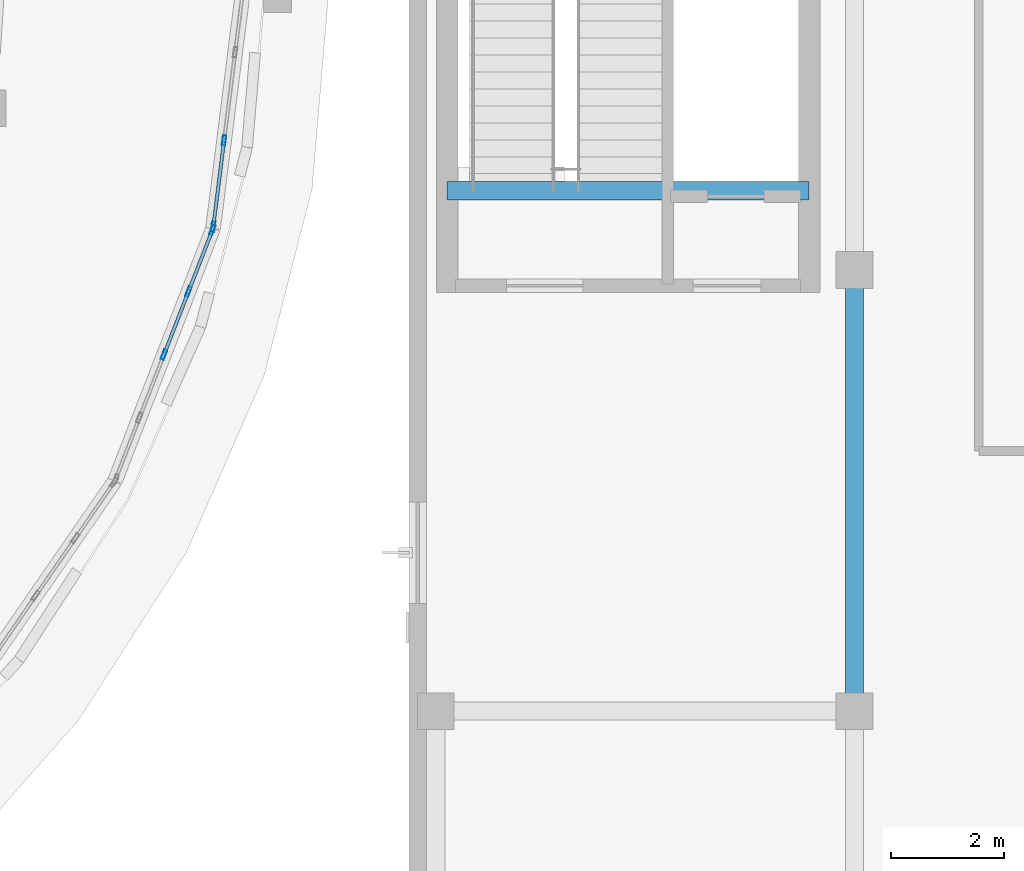
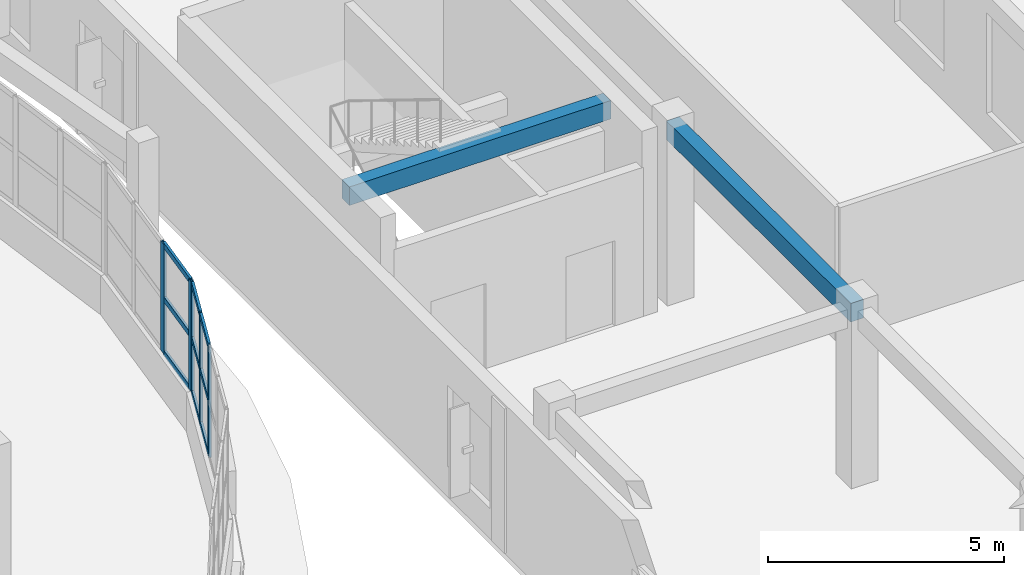
# One storey, part 64 of 105: 14 members, 2 beams, 2 elements without a shape of their own.
"""IFC4 building model written with IfcOpenShell, lengths in metres."""

from ifc_helpers import new_model, si_unit, direction, frame, origin, origin_2d, place, context, subcontext, project, spatial, rectangle, hollow_rectangle, extrude, material, layer, layer_set, material_profile, profile_set, type_object, element, aggregate, save


model = new_model("IFC4")

# Units and contexts
model_context = context("Model", 3, precision=1e-05, world=origin(), true_north=direction((0.0, 1.0)))
body_context = subcontext(model_context, "Body", "Model", "MODEL_VIEW")
ifc_project = project(units=[si_unit("LENGTHUNIT", "METRE"), si_unit("AREAUNIT", "SQUARE_METRE"), si_unit("VOLUMEUNIT", "CUBIC_METRE"), si_unit("PLANEANGLEUNIT", "RADIAN"), si_unit("MASSUNIT", "GRAM", prefix="KILO")], contexts=[model_context])

# Site, building, storey
site_placement = place(None, origin())
site = spatial("IfcSite", under=ifc_project, at=site_placement, CompositionType="ELEMENT")
building_placement = place(site_placement, origin())
building = spatial("IfcBuilding", under=site, at=building_placement, Name="Pelvatis Terrace Science Centre", CompositionType="ELEMENT")
storey_placement = place(building_placement, frame((0.0, 0.0, 10.199951171875)))
storey = spatial("IfcBuildingStorey", under=building, at=storey_placement, Name="L02", CompositionType="ELEMENT", Elevation=10.199951171875)

# Beams
ifc_material_1 = material(Name="Concrete C35/45", Category="concrete")
ifc_material_profile_1 = material_profile(ifc_material_1, rectangle(XDim=0.320068359375, YDim=0.47998046875, at=origin_2d()), Name="RC-BM 320x480")
ifc_profile_set_1 = profile_set([ifc_material_profile_1], Name="Concrete C35/45")
beam_type = type_object("IfcBeamType", Name="BM-RC-320x480", PredefinedType="BEAM", material=ifc_profile_set_1)
beam_1_placement = place(storey_placement, frame((141.0, 79.39990234375, 4.300048828125), z_axis=(1.0, 0.0, 0.0), x_axis=(0.0, 1.0, 0.0)))
element("IfcBeam", 1, at=beam_1_placement, inside=storey, type_object=beam_type, Name="Core C3 stair header beam (L02)", PredefinedType="BEAM", context=body_context, shape_type="SweptSolid", body=[
    extrude(rectangle(XDim=0.320068359375, YDim=0.47998046875, at=origin_2d()), origin(), (0.0, 0.0, 1.0), 6.39990234375),
])
beam_2_placement = place(storey_placement, frame((148.199951171875, 70.199951171875, 4.300048828125), z_axis=(0.0, 1.0, 0.0), x_axis=(-1.0, 0.0, 0.0)))
element("IfcBeam", 2, at=beam_2_placement, inside=storey, type_object=beam_type, Name="Beam BM-L02-2997", PredefinedType="BEAM", context=body_context, shape_type="SweptSolid", body=[
    extrude(rectangle(XDim=0.320068359375, YDim=0.47998046875, at=origin_2d()), origin(), (0.0, 0.0, 1.0), 7.800048828125),
])

# Curtain wall, members
ifc_material_2 = material(Name="Bronze-anodised aluminium and laminated glass", Category="aluminium")
ifc_layer = layer(ifc_material_2, 0.179931640625)
ifc_layer_set = layer_set([ifc_layer], Name="Bronze-anodised aluminium and laminated glass")
curtain_wall_type = type_object("IfcCurtainWallType", Name="CW-RIBBON-A", PredefinedType="NOTDEFINED", material=ifc_layer_set)
curtain_wall_1_placement = place(storey_placement, origin())
curtain_wall_1 = element("IfcCurtainWall", 3, at=curtain_wall_1_placement, inside=storey, type_object=curtain_wall_type, Name="Ribbon curtain wall CW-181 (L02)", PredefinedType="NOTDEFINED")
ifc_material_3 = material(Name="Bronze-anodised aluminium 6063-T6", Category="aluminium")
ifc_material_profile_2 = material_profile(ifc_material_3, hollow_rectangle(XDim=0.06005859375, YDim=0.179931640625, WallThickness=0.00390625, at=origin_2d()), Name="ALU-MUL 60x180")
ifc_profile_set_2 = profile_set([ifc_material_profile_2], Name="Bronze-anodised aluminium 6063-T6")
member_type_1 = type_object("IfcMemberType", Name="CWM-60x180", PredefinedType="MULLION", material=ifc_profile_set_2)
member_1_placement = place(storey_placement, frame((135.99609375, 76.50048828125, 1.02001953125), z_axis=(0.0, 0.0, 1.0), x_axis=(-0.932092427313, 0.362220522536, 0.0)))
member_1 = element("IfcMember", 4, at=member_1_placement, type_object=member_type_1, Name="CW-181 mullion 3", PredefinedType="MULLION", context=body_context, shape_type="SweptSolid", body=[
    extrude(hollow_rectangle(XDim=0.06005859375, YDim=0.179931640625, WallThickness=0.00390625, at=origin_2d()), origin(), (0.0, 0.0, 1.0), 2.840087890625),
])
member_2_placement = place(storey_placement, frame((136.4296875, 77.616455078125, 1.02001953125), z_axis=(0.0, 0.0, 1.0), x_axis=(-0.932092427313, 0.362220522536, 0.0)))
member_2 = element("IfcMember", 5, at=member_2_placement, type_object=member_type_1, Name="CW-181 mullion 4", PredefinedType="MULLION", context=body_context, shape_type="SweptSolid", body=[
    extrude(hollow_rectangle(XDim=0.06005859375, YDim=0.179931640625, WallThickness=0.00390625, at=origin_2d()), origin(), (0.0, 0.0, 1.0), 2.840087890625),
])
member_3_placement = place(storey_placement, frame((136.8525390625, 78.704345703125, 1.02001953125), z_axis=(0.0, 0.0, 1.0), x_axis=(-0.932092427313, 0.362220522536, 0.0)))
member_3 = element("IfcMember", 6, at=member_3_placement, type_object=member_type_1, Name="CW-181 mullion 5", PredefinedType="MULLION", context=body_context, shape_type="SweptSolid", body=[
    extrude(hollow_rectangle(XDim=0.06005859375, YDim=0.179931640625, WallThickness=0.00390625, at=origin_2d()), origin(), (0.0, 0.0, 1.0), 2.840087890625),
])

curtain_wall_2_placement = place(storey_placement, origin())
curtain_wall_2 = element("IfcCurtainWall", 7, at=curtain_wall_2_placement, inside=storey, type_object=curtain_wall_type, Name="Ribbon curtain wall CW-182 (L02)", PredefinedType="NOTDEFINED")
member_4_placement = place(storey_placement, frame((136.866943359375, 78.76220703125, 1.02001953125), z_axis=(0.0, 0.0, 1.0), x_axis=(-0.992192615485, 0.124714930048, 0.0)))
member_4 = element("IfcMember", 8, at=member_4_placement, type_object=member_type_1, Name="CW-182 mullion 1", PredefinedType="MULLION", context=body_context, shape_type="SweptSolid", body=[
    extrude(hollow_rectangle(XDim=0.06005859375, YDim=0.179931640625, WallThickness=0.00390625, at=origin_2d()), origin(), (0.0, 0.0, 1.0), 2.840087890625),
])
member_5_placement = place(storey_placement, frame((137.058837890625, 80.288330078125, 1.02001953125), z_axis=(0.0, 0.0, 1.0), x_axis=(-0.992192615485, 0.124714930048, 0.0)))
member_5 = element("IfcMember", 9, at=member_5_placement, type_object=member_type_1, Name="CW-182 mullion 2", PredefinedType="MULLION", context=body_context, shape_type="SweptSolid", body=[
    extrude(hollow_rectangle(XDim=0.06005859375, YDim=0.179931640625, WallThickness=0.00390625, at=origin_2d()), origin(), (0.0, 0.0, 1.0), 2.840087890625),
])

# Member
ifc_material_4 = material(Name="Bronze-anodised aluminium 6063-T6", Category="aluminium")
ifc_material_profile_3 = material_profile(ifc_material_4, hollow_rectangle(XDim=0.06005859375, YDim=0.139892578125, WallThickness=0.00390625, at=origin_2d()), Name="ALU-TRN 60x140")
ifc_profile_set_3 = profile_set([ifc_material_profile_3], Name="Bronze-anodised aluminium 6063-T6")
member_type_2 = type_object("IfcMemberType", Name="CWT-60x140", PredefinedType="USERDEFINED", material=ifc_profile_set_3)
member_6_placement = place(storey_placement, frame((136.0068359375, 76.528564453125, 1.050048828125), z_axis=(0.362156173801, 0.932117431324, 0.0), x_axis=(-0.932117431324, 0.362156173801, 0.0)))
member_6 = element("IfcMember", 10, at=member_6_placement, type_object=member_type_2, Name="CW-181 transom 3.1", ObjectType="TRANSOM", PredefinedType="USERDEFINED", context=body_context, shape_type="SweptSolid", body=[
    extrude(hollow_rectangle(XDim=0.06005859375, YDim=0.139892578125, WallThickness=0.00390625, at=origin_2d()), origin(), (0.0, 0.0, 1.0), 1.13720703125),
])

member_7_placement = place(storey_placement, frame((136.0068359375, 76.528564453125, 2.43994140625), z_axis=(0.362156173801, 0.932117431324, 0.0), x_axis=(-0.932117431324, 0.362156173801, 0.0)))
member_7 = element("IfcMember", 11, at=member_7_placement, type_object=member_type_2, Name="CW-181 transom 3.2", ObjectType="TRANSOM", PredefinedType="USERDEFINED", context=body_context, shape_type="SweptSolid", body=[
    extrude(hollow_rectangle(XDim=0.06005859375, YDim=0.139892578125, WallThickness=0.00390625, at=origin_2d()), origin(), (0.0, 0.0, 1.0), 1.13720703125),
])

member_8_placement = place(storey_placement, frame((136.0068359375, 76.528564453125, 3.830078125), z_axis=(0.362156173801, 0.932117431324, 0.0), x_axis=(-0.932117431324, 0.362156173801, 0.0)))
member_8 = element("IfcMember", 12, at=member_8_placement, type_object=member_type_2, Name="CW-181 transom 3.3", ObjectType="TRANSOM", PredefinedType="USERDEFINED", context=body_context, shape_type="SweptSolid", body=[
    extrude(hollow_rectangle(XDim=0.06005859375, YDim=0.139892578125, WallThickness=0.00390625, at=origin_2d()), origin(), (0.0, 0.0, 1.0), 1.13720703125),
])

member_9_placement = place(storey_placement, frame((136.4404296875, 77.64453125, 1.050048828125), z_axis=(0.362286642314, 0.9320667298, 0.0), x_axis=(-0.9320667298, 0.362286642314, 0.0)))
member_9 = element("IfcMember", 13, at=member_9_placement, type_object=member_type_2, Name="CW-181 transom 4.1", ObjectType="TRANSOM", PredefinedType="USERDEFINED", context=body_context, shape_type="SweptSolid", body=[
    extrude(hollow_rectangle(XDim=0.06005859375, YDim=0.139892578125, WallThickness=0.00390625, at=origin_2d()), origin(), (0.0, 0.0, 1.0), 1.107177734375),
])

member_10_placement = place(storey_placement, frame((136.4404296875, 77.64453125, 2.43994140625), z_axis=(0.362286642314, 0.9320667298, 0.0), x_axis=(-0.9320667298, 0.362286642314, 0.0)))
member_10 = element("IfcMember", 14, at=member_10_placement, type_object=member_type_2, Name="CW-181 transom 4.2", ObjectType="TRANSOM", PredefinedType="USERDEFINED", context=body_context, shape_type="SweptSolid", body=[
    extrude(hollow_rectangle(XDim=0.06005859375, YDim=0.139892578125, WallThickness=0.00390625, at=origin_2d()), origin(), (0.0, 0.0, 1.0), 1.107177734375),
])

member_11_placement = place(storey_placement, frame((136.4404296875, 77.64453125, 3.830078125), z_axis=(0.362286642314, 0.9320667298, 0.0), x_axis=(-0.9320667298, 0.362286642314, 0.0)))
member_11 = element("IfcMember", 15, at=member_11_placement, type_object=member_type_2, Name="CW-181 transom 4.3", ObjectType="TRANSOM", PredefinedType="USERDEFINED", context=body_context, shape_type="SweptSolid", body=[
    extrude(hollow_rectangle(XDim=0.06005859375, YDim=0.139892578125, WallThickness=0.00390625, at=origin_2d()), origin(), (0.0, 0.0, 1.0), 1.107177734375),
])

aggregate(curtain_wall_1, [member_1, member_2, member_3, member_6, member_7, member_8, member_9, member_10, member_11])

member_12_placement = place(storey_placement, frame((136.870849609375, 78.7919921875, 1.050048828125), z_axis=(0.124705562452, 0.992193792912, 0.0), x_axis=(-0.992193792912, 0.124705562452, 0.0)))
member_12 = element("IfcMember", 16, at=member_12_placement, type_object=member_type_2, Name="CW-182 transom 1.1", ObjectType="TRANSOM", PredefinedType="USERDEFINED", context=body_context, shape_type="SweptSolid", body=[
    extrude(hollow_rectangle(XDim=0.06005859375, YDim=0.139892578125, WallThickness=0.00390625, at=origin_2d()), origin(), (0.0, 0.0, 1.0), 1.47802734375),
])

member_13_placement = place(storey_placement, frame((136.870849609375, 78.7919921875, 2.43994140625), z_axis=(0.124705562452, 0.992193792912, 0.0), x_axis=(-0.992193792912, 0.124705562452, 0.0)))
member_13 = element("IfcMember", 17, at=member_13_placement, type_object=member_type_2, Name="CW-182 transom 1.2", ObjectType="TRANSOM", PredefinedType="USERDEFINED", context=body_context, shape_type="SweptSolid", body=[
    extrude(hollow_rectangle(XDim=0.06005859375, YDim=0.139892578125, WallThickness=0.00390625, at=origin_2d()), origin(), (0.0, 0.0, 1.0), 1.47802734375),
])

member_14_placement = place(storey_placement, frame((136.870849609375, 78.7919921875, 3.830078125), z_axis=(0.124705562452, 0.992193792912, 0.0), x_axis=(-0.992193792912, 0.124705562452, 0.0)))
member_14 = element("IfcMember", 18, at=member_14_placement, type_object=member_type_2, Name="CW-182 transom 1.3", ObjectType="TRANSOM", PredefinedType="USERDEFINED", context=body_context, shape_type="SweptSolid", body=[
    extrude(hollow_rectangle(XDim=0.06005859375, YDim=0.139892578125, WallThickness=0.00390625, at=origin_2d()), origin(), (0.0, 0.0, 1.0), 1.47802734375),
])

aggregate(curtain_wall_2, [member_4, member_5, member_12, member_13, member_14])

save(model, "model.ifc")
